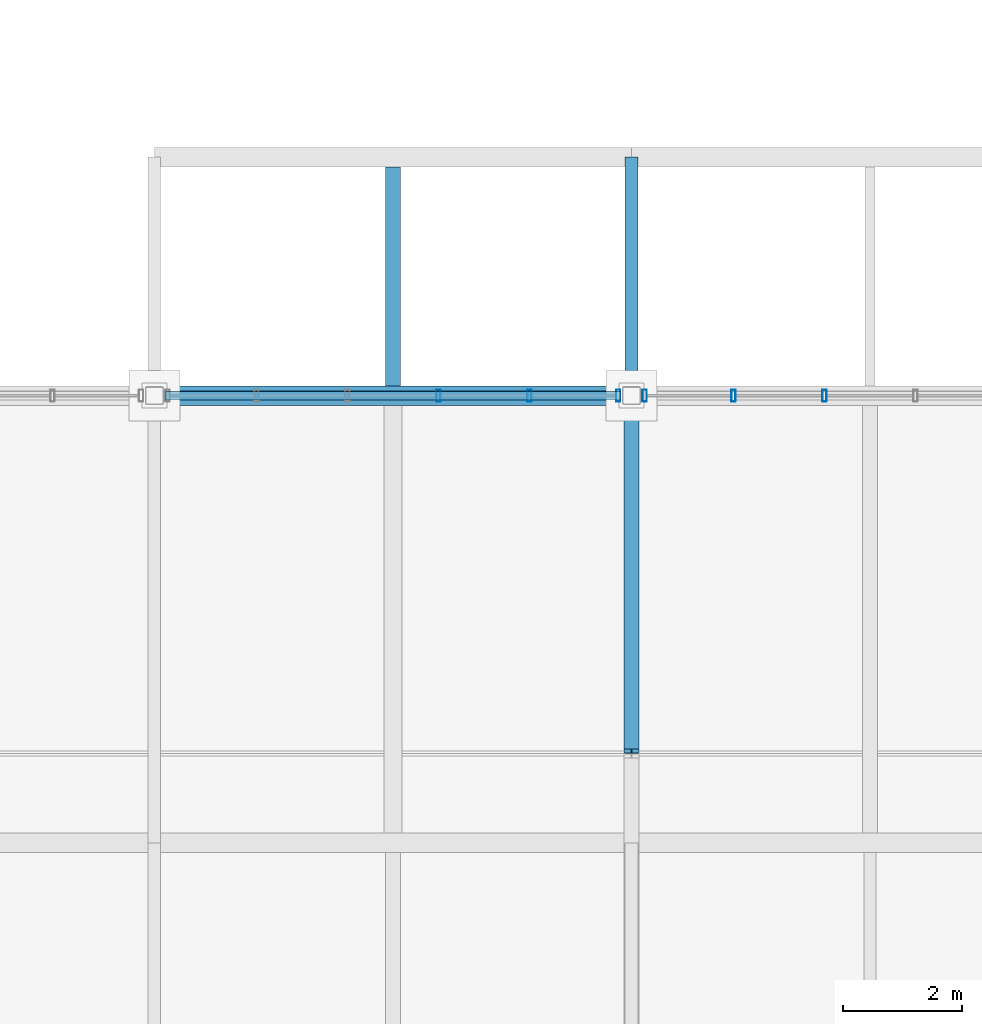
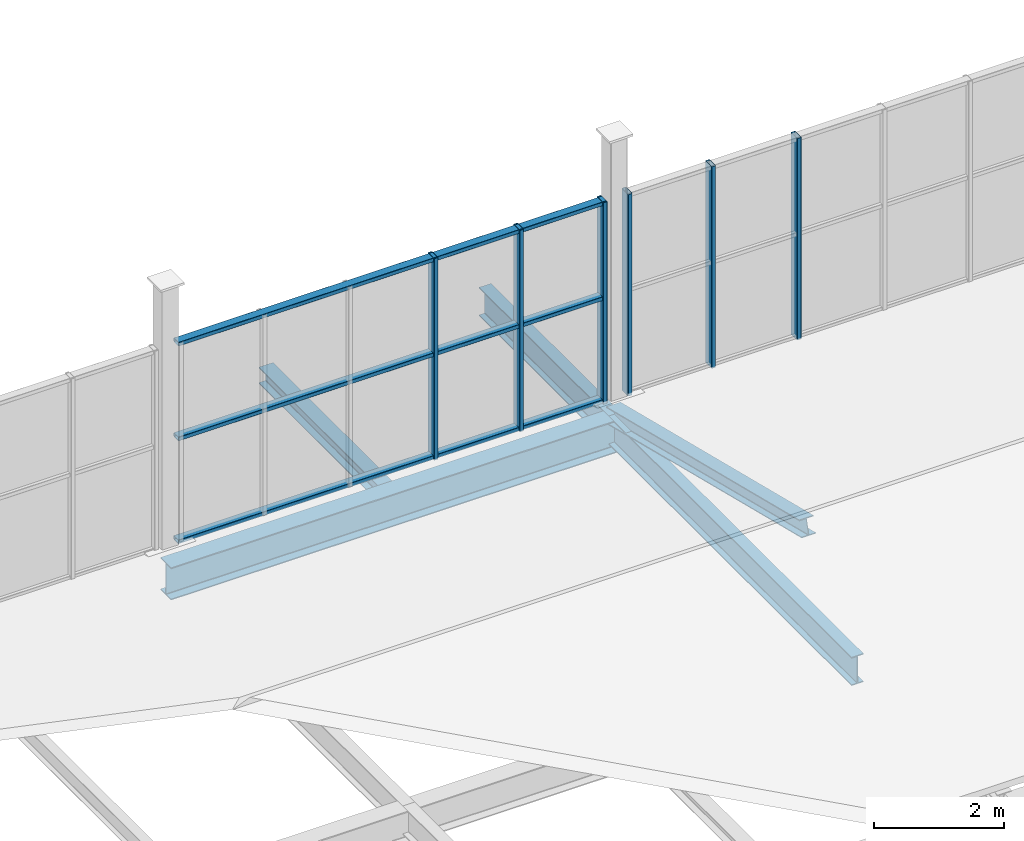
# One storey, part 24 of 96: 10 members, 4 beams, 2 elements without a shape of their own.
"""IFC4 building model written with IfcOpenShell, lengths in metres."""

from ifc_helpers import new_model, si_unit, direction, frame, origin, origin_2d, place, context, subcontext, project, spatial, hollow_rectangle, i_section, extrude, material, material_profile, profile_set, type_object, element, aggregate, save


model = new_model("IFC4")

# Units and contexts
model_context = context("Model", 3, precision=1e-05, world=origin(), true_north=direction((0.0, 1.0)))
body_context = subcontext(model_context, "Body", "Model", "MODEL_VIEW")
ifc_project = project(units=[si_unit("LENGTHUNIT", "METRE"), si_unit("AREAUNIT", "SQUARE_METRE"), si_unit("VOLUMEUNIT", "CUBIC_METRE"), si_unit("PLANEANGLEUNIT", "RADIAN"), si_unit("MASSUNIT", "GRAM", prefix="KILO")], contexts=[model_context])

# Site, building, storey
site_placement = place(None, origin())
site = spatial("IfcSite", under=ifc_project, at=site_placement, CompositionType="ELEMENT")
building_placement = place(site_placement, origin())
building = spatial("IfcBuilding", under=site, at=building_placement, Name="Verrall Gate Interchange", CompositionType="ELEMENT")
storey_placement = place(building_placement, frame((0.0, 0.0, 11.39990234375)))
storey = spatial("IfcBuildingStorey", under=building, at=storey_placement, Name="L03", CompositionType="ELEMENT", Elevation=11.39990234375)

# Beams
ifc_material_1 = material(Name="Structural Steel CSA G40.21 350WT Cat 4", Category="steel")
ifc_material_profile_1 = material_profile(ifc_material_1, i_section(OverallWidth=0.323974609375, OverallDepth=0.611083984375, WebThickness=0.0126953125, FlangeThickness=0.01904296875, FilletRadius=0.014892578125, at=origin_2d()), Name="W610x155")
ifc_profile_set_1 = profile_set([ifc_material_profile_1], Name="Structural Steel CSA G40.21 350WT Cat 4")
beam_type_1 = type_object("IfcBeamType", Name="B-08 Structural Beam W610x155", PredefinedType="BEAM", material=ifc_profile_set_1)
beam_1_placement = place(storey_placement, frame((52.0, 12.0, -0.635498046875), z_axis=(1.0, 0.0, 0.0), x_axis=(0.0, 1.0, 0.0)))
element("IfcBeam", 1, at=beam_1_placement, inside=storey, type_object=beam_type_1, Name="L03 Girder BM-L03-2014 (B-08)", PredefinedType="BEAM", context=body_context, shape_type="SweptSolid", body=[
    extrude(i_section(OverallWidth=0.323974609375, OverallDepth=0.611083984375, WebThickness=0.0126953125, FlangeThickness=0.01904296875, FilletRadius=0.014892578125, at=origin_2d()), origin(), (0.0, 0.0, 1.0), 8.0),
])
ifc_material_2 = material(Name="Structural Steel CSA G40.21 350W", Category="steel")
ifc_material_profile_2 = material_profile(ifc_material_2, i_section(OverallWidth=0.2109375, OverallDepth=0.5390625, WebThickness=0.01171875, FlangeThickness=0.018798828125, FilletRadius=0.013916015625, at=origin_2d()), Name="W530x109")
ifc_profile_set_2 = profile_set([ifc_material_profile_2], Name="Structural Steel CSA G40.21 350W")
beam_type_2 = type_object("IfcBeamType", Name="B-10 Structural Beam W530x109", PredefinedType="BEAM", material=ifc_profile_set_2)
beam_2_placement = place(storey_placement, frame((60.0, 4.5, -0.599365234375), z_axis=(0.0, 1.0, 0.0), x_axis=(-1.0, 0.0, 0.0)))
element("IfcBeam", 2, at=beam_2_placement, inside=storey, type_object=beam_type_2, Name="L03 Girder BM-L03-2283 (B-10)", PredefinedType="BEAM", context=body_context, shape_type="SweptSolid", body=[
    extrude(i_section(OverallWidth=0.2109375, OverallDepth=0.5390625, WebThickness=0.01171875, FlangeThickness=0.018798828125, FilletRadius=0.013916015625, at=origin_2d()), origin(), (0.0, 0.0, 1.0), 7.5),
])
beam_3_placement = place(storey_placement, frame((60.0, 12.0, -0.599365234375), z_axis=(0.0, 1.0, 0.0), x_axis=(-1.0, 0.0, 0.0)))
element("IfcBeam", 3, at=beam_3_placement, inside=storey, type_object=beam_type_2, Name="L03 Girder BM-L03-2284 (B-10)", PredefinedType="BEAM", context=body_context, shape_type="SweptSolid", body=[
    extrude(i_section(OverallWidth=0.2109375, OverallDepth=0.5390625, WebThickness=0.01171875, FlangeThickness=0.018798828125, FilletRadius=0.013916015625, at=origin_2d()), origin(), (0.0, 0.0, 1.0), 4.0),
])

# Curtain wall, members
ifc_material_3 = material(Name="Thermally Broken Anodized Aluminium Curtain Wall Framing", Category="aluminium")
curtain_wall_type = type_object("IfcCurtainWallType", Name="CW-53 Unitized Curtain Wall 7631x3800", PredefinedType="NOTDEFINED", material=ifc_material_3)
curtain_wall_1_placement = place(storey_placement, origin())
curtain_wall_1 = element("IfcCurtainWall", 4, at=curtain_wall_1_placement, inside=storey, type_object=curtain_wall_type, Name="L03 Unitized Curtain Wall CW-L03-CLR-166", PredefinedType="NOTDEFINED")
ifc_material_4 = material(Name="Thermally Broken Anodized Aluminium Curtain Wall Framing", Category="aluminium")
ifc_material_profile_3 = material_profile(ifc_material_4, hollow_rectangle(XDim=0.074951171875, YDim=0.199951171875, WallThickness=0.0048828125, InnerFilletRadius=0.0048828125, OuterFilletRadius=0.010009765625, at=origin_2d()), Name="CWM200x75x5")
ifc_profile_set_3 = profile_set([ifc_material_profile_3], Name="Thermally Broken Anodized Aluminium Curtain Wall Framing")
member_type_1 = type_object("IfcMemberType", Name="CM-02 Curtain Mullion CWM200x75x5", PredefinedType="MULLION", material=ifc_profile_set_3)
member_1_placement = place(storey_placement, frame((56.76318359375, 12.0, 0.0), z_axis=(0.0, 0.0, 1.0), x_axis=(1.0, 0.0, 0.0)))
member_1 = element("IfcMember", 5, at=member_1_placement, type_object=member_type_1, Name="CW-L03-CLR-166 Mullion 4", PredefinedType="MULLION", context=body_context, shape_type="SweptSolid", body=[
    extrude(hollow_rectangle(XDim=0.074951171875, YDim=0.199951171875, WallThickness=0.0048828125, InnerFilletRadius=0.0048828125, OuterFilletRadius=0.010009765625, at=origin_2d()), origin(), (0.0, 0.0, 1.0), 3.800048828125),
])
member_2_placement = place(storey_placement, frame((58.289306640625, 12.0, 0.0), z_axis=(0.0, 0.0, 1.0), x_axis=(1.0, 0.0, 0.0)))
member_2 = element("IfcMember", 6, at=member_2_placement, type_object=member_type_1, Name="CW-L03-CLR-166 Mullion 5", PredefinedType="MULLION", context=body_context, shape_type="SweptSolid", body=[
    extrude(hollow_rectangle(XDim=0.074951171875, YDim=0.199951171875, WallThickness=0.0048828125, InnerFilletRadius=0.0048828125, OuterFilletRadius=0.010009765625, at=origin_2d()), origin(), (0.0, 0.0, 1.0), 3.800048828125),
])
member_3_placement = place(storey_placement, frame((59.778076171875, 12.0, 0.0), z_axis=(0.0, 0.0, 1.0), x_axis=(1.0, 0.0, 0.0)))
member_3 = element("IfcMember", 7, at=member_3_placement, type_object=member_type_1, Name="CW-L03-CLR-166 Mullion 6", PredefinedType="MULLION", context=body_context, shape_type="SweptSolid", body=[
    extrude(hollow_rectangle(XDim=0.074951171875, YDim=0.199951171875, WallThickness=0.0048828125, InnerFilletRadius=0.0048828125, OuterFilletRadius=0.010009765625, at=origin_2d()), origin(), (0.0, 0.0, 1.0), 3.800048828125),
])

curtain_wall_2_placement = place(storey_placement, origin())
curtain_wall_2 = element("IfcCurtainWall", 8, at=curtain_wall_2_placement, inside=storey, type_object=curtain_wall_type, Name="L03 Unitized Curtain Wall CW-L03-CLR-167", PredefinedType="NOTDEFINED")
member_4_placement = place(storey_placement, frame((60.221923828125, 12.0, 0.0), z_axis=(0.0, 0.0, 1.0), x_axis=(1.0, 0.0, 0.0)))
member_4 = element("IfcMember", 9, at=member_4_placement, type_object=member_type_1, Name="CW-L03-CLR-167 Mullion 1", PredefinedType="MULLION", context=body_context, shape_type="SweptSolid", body=[
    extrude(hollow_rectangle(XDim=0.074951171875, YDim=0.199951171875, WallThickness=0.0048828125, InnerFilletRadius=0.0048828125, OuterFilletRadius=0.010009765625, at=origin_2d()), origin(), (0.0, 0.0, 1.0), 3.800048828125),
])
member_5_placement = place(storey_placement, frame((61.710693359375, 12.0, 0.0), z_axis=(0.0, 0.0, 1.0), x_axis=(1.0, 0.0, 0.0)))
member_5 = element("IfcMember", 10, at=member_5_placement, type_object=member_type_1, Name="CW-L03-CLR-167 Mullion 2", PredefinedType="MULLION", context=body_context, shape_type="SweptSolid", body=[
    extrude(hollow_rectangle(XDim=0.074951171875, YDim=0.199951171875, WallThickness=0.0048828125, InnerFilletRadius=0.0048828125, OuterFilletRadius=0.010009765625, at=origin_2d()), origin(), (0.0, 0.0, 1.0), 3.800048828125),
])
member_6_placement = place(storey_placement, frame((63.23681640625, 12.0, 0.0), z_axis=(0.0, 0.0, 1.0), x_axis=(1.0, 0.0, 0.0)))
member_6 = element("IfcMember", 11, at=member_6_placement, type_object=member_type_1, Name="CW-L03-CLR-167 Mullion 3", PredefinedType="MULLION", context=body_context, shape_type="SweptSolid", body=[
    extrude(hollow_rectangle(XDim=0.074951171875, YDim=0.199951171875, WallThickness=0.0048828125, InnerFilletRadius=0.0048828125, OuterFilletRadius=0.010009765625, at=origin_2d()), origin(), (0.0, 0.0, 1.0), 3.800048828125),
])
aggregate(curtain_wall_2, [member_4, member_5, member_6])

# Member
ifc_material_5 = material(Name="Thermally Broken Anodized Aluminium Curtain Wall Framing", Category="aluminium")
ifc_material_profile_4 = material_profile(ifc_material_5, hollow_rectangle(XDim=0.14990234375, YDim=0.074951171875, WallThickness=0.00439453125, InnerFilletRadius=0.00439453125, OuterFilletRadius=0.009033203125, at=origin_2d()), Name="CWT150x75x4.5")
ifc_profile_set_4 = profile_set([ifc_material_profile_4], Name="Thermally Broken Anodized Aluminium Curtain Wall Framing")
member_type_2 = type_object("IfcMemberType", Name="CT-02 Curtain Transom CWT150x75x4.5", PredefinedType="USERDEFINED", material=ifc_profile_set_4)
member_7_placement = place(storey_placement, frame((52.1845703125, 12.0, 0.03759765625), z_axis=(1.0, 0.0, 0.0), x_axis=(0.0, 1.0, 0.0)))
member_7 = element("IfcMember", 12, at=member_7_placement, type_object=member_type_2, Name="CW-L03-CLR-166 Transom 1", ObjectType="TRANSOM", PredefinedType="USERDEFINED", context=body_context, shape_type="SweptSolid", body=[
    extrude(hollow_rectangle(XDim=0.14990234375, YDim=0.074951171875, WallThickness=0.00439453125, InnerFilletRadius=0.00439453125, OuterFilletRadius=0.009033203125, at=origin_2d()), origin(), (0.0, 0.0, 1.0), 7.630859375),
])

member_8_placement = place(storey_placement, frame((52.1845703125, 12.0, 1.97607421875), z_axis=(1.0, 0.0, 0.0), x_axis=(0.0, 1.0, 0.0)))
member_8 = element("IfcMember", 13, at=member_8_placement, type_object=member_type_2, Name="CW-L03-CLR-166 Transom 2", ObjectType="TRANSOM", PredefinedType="USERDEFINED", context=body_context, shape_type="SweptSolid", body=[
    extrude(hollow_rectangle(XDim=0.14990234375, YDim=0.074951171875, WallThickness=0.00439453125, InnerFilletRadius=0.00439453125, OuterFilletRadius=0.009033203125, at=origin_2d()), origin(), (0.0, 0.0, 1.0), 7.630859375),
])

member_9_placement = place(storey_placement, frame((52.1845703125, 12.0, 3.7626953125), z_axis=(1.0, 0.0, 0.0), x_axis=(0.0, 1.0, 0.0)))
member_9 = element("IfcMember", 14, at=member_9_placement, type_object=member_type_2, Name="CW-L03-CLR-166 Transom 3", ObjectType="TRANSOM", PredefinedType="USERDEFINED", context=body_context, shape_type="SweptSolid", body=[
    extrude(hollow_rectangle(XDim=0.14990234375, YDim=0.074951171875, WallThickness=0.00439453125, InnerFilletRadius=0.00439453125, OuterFilletRadius=0.009033203125, at=origin_2d()), origin(), (0.0, 0.0, 1.0), 7.630859375),
])

aggregate(curtain_wall_1, [member_1, member_2, member_3, member_7, member_8, member_9])

# Beam
ifc_material_6 = material(Name="Structural Steel CSA G40.21 350W", Category="steel")
ifc_material_profile_5 = material_profile(ifc_material_6, i_section(OverallWidth=0.25390625, OverallDepth=0.305908203125, WebThickness=0.0087890625, FlangeThickness=0.0146484375, FilletRadius=0.012939453125, at=origin_2d()), Name="W310x79")
ifc_profile_set_5 = profile_set([ifc_material_profile_5], Name="Structural Steel CSA G40.21 350W")
beam_type_3 = type_object("IfcBeamType", Name="J-03 Floor Joist W310x79", PredefinedType="JOIST", material=ifc_profile_set_5)
beam_4_placement = place(storey_placement, frame((56.0, 12.162109375, -0.48291015625), z_axis=(0.0, 1.0, 0.0), x_axis=(-1.0, 0.0, 0.0)))
element("IfcBeam", 15, at=beam_4_placement, inside=storey, type_object=beam_type_3, Name="L03 Secondary Floor Joist JST-L03-2412", PredefinedType="JOIST", context=body_context, shape_type="SweptSolid", body=[
    extrude(i_section(OverallWidth=0.25390625, OverallDepth=0.305908203125, WebThickness=0.0087890625, FlangeThickness=0.0146484375, FilletRadius=0.012939453125, at=origin_2d()), origin(), (0.0, 0.0, 1.0), 3.67578125),
])

# Member
ifc_material_7 = material(Name="Structural Steel CSA G40.21 350WT Cat 4", Category="steel")
ifc_material_profile_6 = material_profile(ifc_material_7, i_section(OverallWidth=0.25390625, OverallDepth=0.305908203125, WebThickness=0.0087890625, FlangeThickness=0.0146484375, FilletRadius=0.012939453125, at=origin_2d()), Name="W310x79")
ifc_profile_set_6 = profile_set([ifc_material_profile_6], Name="Structural Steel CSA G40.21 350WT Cat 4")
member_type_3 = type_object("IfcMemberType", Name="RF-03 Folded Roof Rafter W310x79", PredefinedType="RAFTER", material=ifc_profile_set_6)
member_10_placement = place(storey_placement, frame((60.0, 12.0, -0.31982421875), z_axis=(0.0, -0.970524816174, 0.241001205786), x_axis=(1.0, 0.0, 0.0)))
element("IfcMember", 16, at=member_10_placement, inside=storey, type_object=member_type_3, Name="Portico Roof Rafter N 60", PredefinedType="RAFTER", context=body_context, shape_type="SweptSolid", body=[
    extrude(i_section(OverallWidth=0.25390625, OverallDepth=0.305908203125, WebThickness=0.0087890625, FlangeThickness=0.0146484375, FilletRadius=0.012939453125, at=origin_2d()), origin(), (0.0, 0.0, 1.0), 6.140869140625),
])

save(model, "model.ifc")
